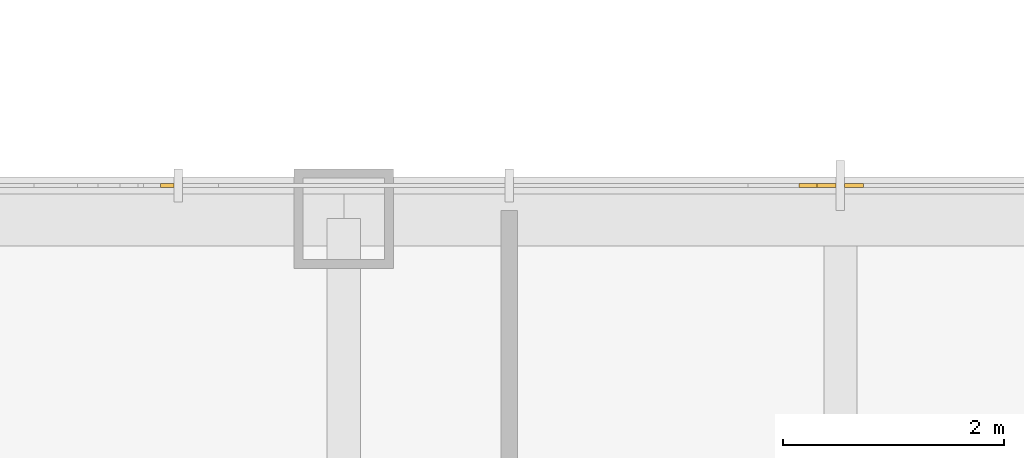
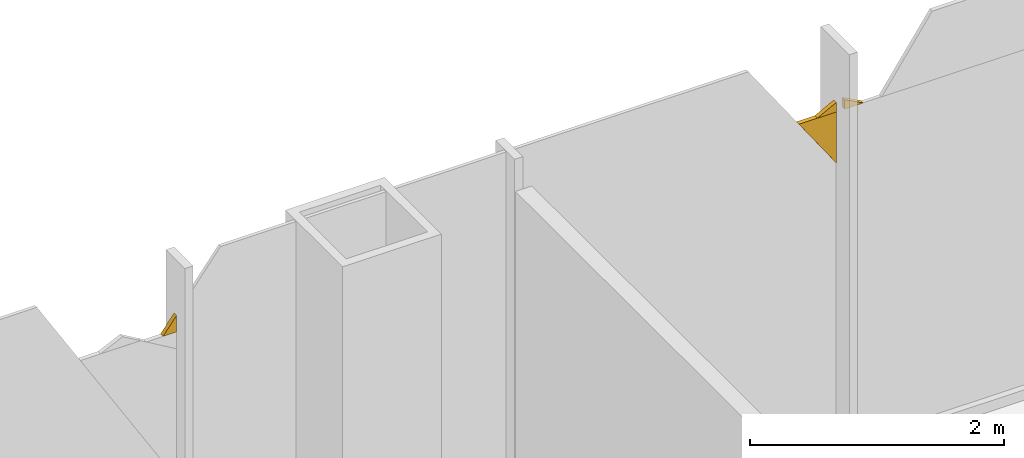
# One storey, part 21 of 23: 4 coverings.
"""IFC4 building model written with IfcOpenShell, lengths in metres."""

from ifc_helpers import new_model, si_unit, direction, frame, origin, place, context, subcontext, project, spatial, polyline, outline, extrude, material, layer, layer_set, type_object, element, save


model = new_model("IFC4")

# Units and contexts
model_context = context("Model", 3, precision=1e-05, world=origin(), true_north=direction((0.0, 1.0)))
body_context = subcontext(model_context, "Body", "Model", "MODEL_VIEW")
ifc_project = project(units=[si_unit("LENGTHUNIT", "METRE"), si_unit("AREAUNIT", "SQUARE_METRE"), si_unit("VOLUMEUNIT", "CUBIC_METRE"), si_unit("PLANEANGLEUNIT", "RADIAN"), si_unit("MASSUNIT", "GRAM", prefix="KILO")], contexts=[model_context])

# Site, building, storey
site_placement = place(None, origin())
site = spatial("IfcSite", under=ifc_project, at=site_placement, CompositionType="ELEMENT")
building_placement = place(site_placement, origin())
building = spatial("IfcBuilding", under=site, at=building_placement, Name="Malebo Sky Hospital", CompositionType="ELEMENT")
storey_placement = place(building_placement, frame((0.0, 0.0, 91.0)))
storey = spatial("IfcBuildingStorey", under=building, at=storey_placement, Name="L21", CompositionType="ELEMENT", Elevation=91.0)

# Coverings
ifc_material = material(Name="Anodised aluminium, natural silver insulated infill panel", Category="aluminium")
ifc_layer = layer(ifc_material, 0.0400390625)
ifc_layer_set = layer_set([ifc_layer], Name="BRACE INFILL PANEL 40")
covering_type = type_object("IfcCoveringType", Name="BRACE INFILL PANEL 40", PredefinedType="CLADDING", material=ifc_layer_set)
covering_1_placement = place(storey_placement, frame((53.90087890625, 87.5, 3.312255859375), z_axis=(0.0, 0.0, 1.0), x_axis=(1.0, 0.0, 0.0)))
element("IfcCovering", 1, at=covering_1_placement, inside=storey, type_object=covering_type, Name="Brace infill panel 5.3", PredefinedType="CLADDING", context=body_context, shape_type="SweptSolid", body=[
    extrude(outline(polyline([(-0.0615234375, 0.0), (0.0615234375, 0.0), (0.0615234375, 0.15869140625), (-0.0615234375, 0.0)])), frame((0.0, 0.02001953125, 0.0), z_axis=(0.0, -1.0, 0.0), x_axis=(1.0, 0.0, 0.0)), (0.0, 0.0, 1.0), 0.0400390625),
])
covering_2_placement = place(storey_placement, frame((59.79296875, 87.5, 2.8359375), z_axis=(0.0, 0.0, 1.0), x_axis=(1.0, 0.0, 0.0)))
element("IfcCovering", 2, at=covering_2_placement, inside=storey, type_object=covering_type, Name="Brace infill panel 7.1", PredefinedType="CLADDING", context=body_context, shape_type="SweptSolid", body=[
    extrude(outline(polyline([(0.169677734375, 0.0), (0.169677734375, 0.490966796875), (-0.169677734375, 0.490966796875), (0.169677734375, 0.0)])), frame((0.0, 0.02001953125, 0.0), z_axis=(0.0, -1.0, 0.0), x_axis=(1.0, 0.0, 0.0)), (0.0, 0.0, 1.0), 0.0400390625),
])
covering_3_placement = place(storey_placement, frame((59.87646484375, 87.5, 3.32666015625), z_axis=(0.0, 0.0, 1.0), x_axis=(1.0, 0.0, 0.0)))
element("IfcCovering", 3, at=covering_3_placement, inside=storey, type_object=covering_type, Name="Brace infill panel 7.2", PredefinedType="CLADDING", context=body_context, shape_type="SweptSolid", body=[
    extrude(outline(polyline([(-0.0859375, 0.0), (0.0859375, 0.0), (0.0859375, 0.091064453125), (-0.0859375, 0.0)])), frame((0.0, 0.02001953125, 0.0), z_axis=(0.0, -1.0, 0.0), x_axis=(1.0, 0.0, 0.0)), (0.0, 0.0, 1.0), 0.0400390625),
])
covering_4_placement = place(storey_placement, frame((60.12353515625, 87.5, 3.32666015625), z_axis=(0.0, 0.0, 1.0), x_axis=(1.0, 0.0, 0.0)))
element("IfcCovering", 4, at=covering_4_placement, inside=storey, type_object=covering_type, Name="Brace infill panel 8.2", PredefinedType="CLADDING", context=body_context, shape_type="SweptSolid", body=[
    extrude(outline(polyline([(-0.0859375, 0.0), (0.0859375, 0.0), (-0.0859375, 0.091064453125), (-0.0859375, 0.0)])), frame((0.0, 0.02001953125, 0.0), z_axis=(0.0, -1.0, 0.0), x_axis=(1.0, 0.0, 0.0)), (0.0, 0.0, 1.0), 0.0400390625),
])

save(model, "model.ifc")
